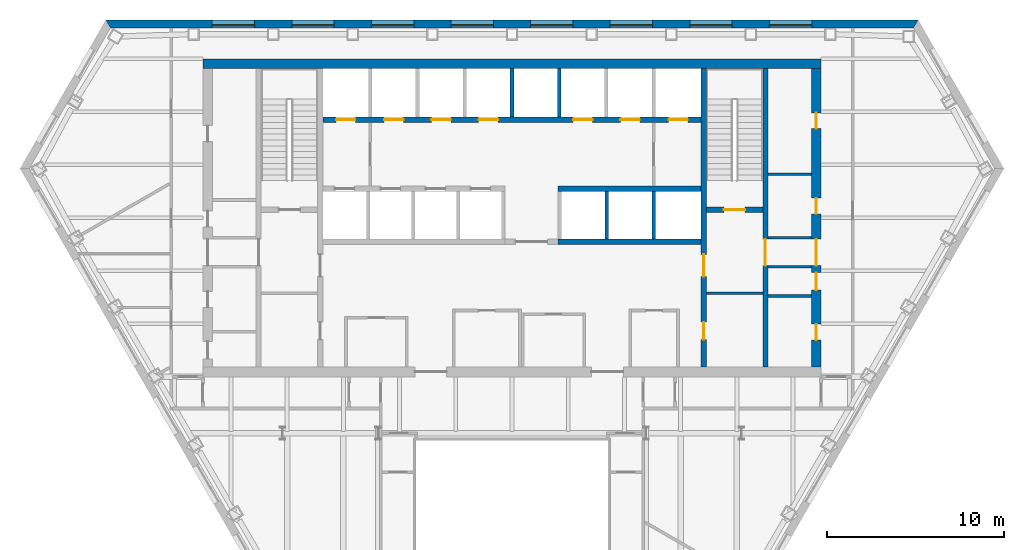
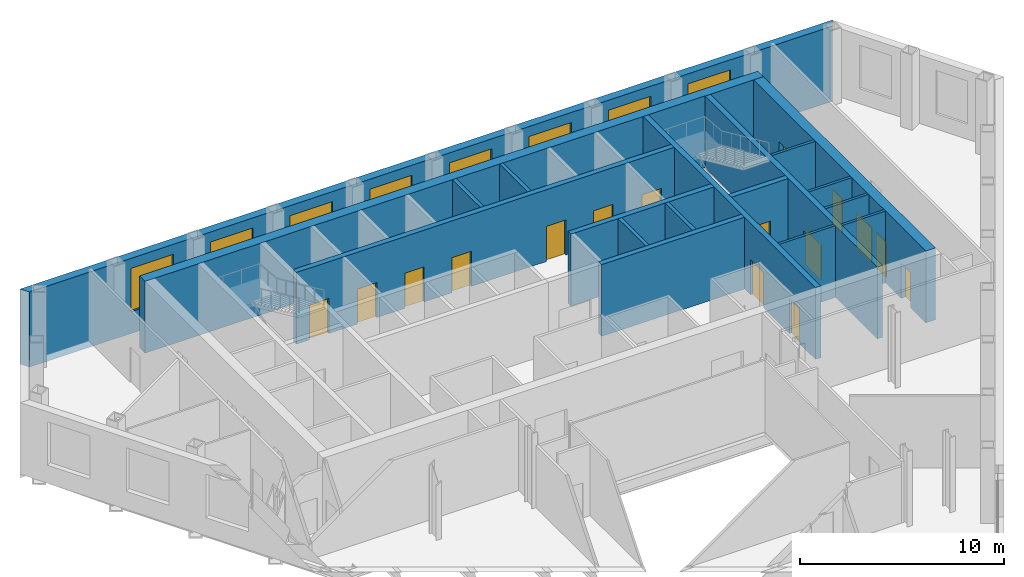
# One storey, part 8 of 12: 18 walls, 16 doors, 8 windows, 24 openings.
"""IFC4 building model written with IfcOpenShell, lengths in metres."""

from ifc_helpers import new_model, si_unit, direction, frame, frame_2d, origin, place, context, subcontext, project, spatial, polyline, rectangle, outline, extrude, material, layer, layer_set, type_object, element, fill, save


model = new_model("IFC4")

# Units and contexts
model_context = context("Model", 3, precision=1e-05, world=origin(), true_north=direction((0.0, 1.0)))
body_context = subcontext(model_context, "Body", "Model", "MODEL_VIEW")
ifc_project = project(units=[si_unit("LENGTHUNIT", "METRE"), si_unit("AREAUNIT", "SQUARE_METRE"), si_unit("VOLUMEUNIT", "CUBIC_METRE"), si_unit("PLANEANGLEUNIT", "RADIAN"), si_unit("MASSUNIT", "GRAM", prefix="KILO")], contexts=[model_context])

# Site, building, storey
site_placement = place(None, origin())
site = spatial("IfcSite", under=ifc_project, at=site_placement, CompositionType="ELEMENT")
building_placement = place(site_placement, origin())
building = spatial("IfcBuilding", under=site, at=building_placement, Name="Njiva Tower", CompositionType="ELEMENT")
storey_placement = place(building_placement, frame((0.0, 0.0, 111.3)))
storey = spatial("IfcBuildingStorey", under=building, at=storey_placement, Name="L23", CompositionType="ELEMENT", Elevation=111.3)

# Walls
ifc_material_1 = material(Name="Blockwork", Category="masonry")
ifc_layer_1 = layer(ifc_material_1, 0.15)
ifc_layer_set_1 = layer_set([ifc_layer_1], Name="Blockwork")
wall_type_1 = type_object("IfcWallType", Name="WT1 Compartment partition 150", PredefinedType="PARTITIONING", material=ifc_layer_set_1)
wall_1_placement = place(storey_placement, frame((11.0, 4.725, 0.0), z_axis=(0.0, 0.0, 1.0), x_axis=(1.0, 0.0, 0.0)))
element("IfcWall", 1, at=wall_1_placement, inside=storey, type_object=wall_type_1, Name="Room wall B", PredefinedType="PARTITIONING", context=body_context, shape_type="SweptSolid", body=[
    extrude(rectangle(XDim=3.2, YDim=0.15, at=frame_2d((1.6, 0.0))), origin(), (0.0, 0.0, 1.0), 4.3),
])
wall_2_placement = place(storey_placement, frame((14.5, 4.575, 0.0), z_axis=(0.0, 0.0, 1.0), x_axis=(1.0, 0.0, 0.0)))
element("IfcWall", 2, at=wall_2_placement, inside=storey, type_object=wall_type_1, Name="Partition strip E00", PredefinedType="PARTITIONING", context=body_context, shape_type="SweptSolid", body=[
    extrude(rectangle(XDim=2.45, YDim=0.15, at=frame_2d((1.225, 0.0))), origin(), (0.0, 0.0, 1.0), 4.3),
])

# Wall, openings, doors
ifc_material_2 = material(Name="Concrete C40/50", Category="concrete")
ifc_layer_2 = layer(ifc_material_2, 0.3)
ifc_layer_set_2 = layer_set([ifc_layer_2], Name="Concrete C40/50")
wall_type_2 = type_object("IfcWallType", Name="WT10 Stair enclosure wall 300", PredefinedType="SHEAR", material=ifc_layer_set_2)
wall_3_placement = place(storey_placement, frame((10.85, 0.55, 0.0), z_axis=(0.0, 0.0, 1.0), x_axis=(0.0, 1.0, 0.0)))
wall_3 = element("IfcWall", 3, at=wall_3_placement, inside=storey, type_object=wall_type_2, Name="Stair wall east inner", PredefinedType="SHEAR", context=body_context, shape_type="SweptSolid", body=[
    extrude(rectangle(XDim=16.9, YDim=0.3, at=frame_2d((8.45, 0.0))), origin(), (0.0, 0.0, 1.0), 4.3),
])
opening_1_placement = place(wall_3_placement, frame((5.125, 0.0, 0.0)))
opening_1 = element("IfcOpeningElement", 4, at=opening_1_placement, cuts=wall_3, Name="Opening S08-D918", PredefinedType="OPENING", context=body_context, shape_type="SweptSolid", body=[
    extrude(rectangle(XDim=1.25, YDim=2.1, at=frame_2d((0.625, 1.05))), frame((0.0, 0.16, 0.0), z_axis=(0.0, -1.0, 0.0), x_axis=(1.0, 0.0, 0.0)), (0.0, 0.0, 1.0), 0.32),
])
opening_2_placement = place(wall_3_placement, frame((1.55, 0.0, 0.0)))
opening_2 = element("IfcOpeningElement", 5, at=opening_2_placement, cuts=wall_3, Name="Opening S08-D919", PredefinedType="OPENING", context=body_context, shape_type="SweptSolid", body=[
    extrude(rectangle(XDim=1.0, YDim=2.1, at=frame_2d((0.5, 1.05))), frame((0.0, 0.16, 0.0), z_axis=(0.0, -1.0, 0.0), x_axis=(1.0, 0.0, 0.0)), (0.0, 0.0, 1.0), 0.32),
])
ifc_material_3 = material(Name="Steel door, painted", Category="steel")
door_type_1 = type_object("IfcDoorType", Name="D5 Steel door 1000x2100", OperationType="SINGLE_SWING_LEFT", PredefinedType="DOOR", material=ifc_material_3)
door_1_placement = place(opening_2_placement, origin())
door_1 = element("IfcDoor", 6, at=door_1_placement, inside=storey, type_object=door_type_1, Name="First aid room door", OperationType="SINGLE_SWING_LEFT", OverallHeight=2.1, OverallWidth=1.0, PredefinedType="DOOR", context=body_context, shape_type="SweptSolid", body=[
    extrude(rectangle(XDim=1.0, YDim=2.1, at=frame_2d((0.5, 1.05))), frame((0.0, 0.025, 0.0), z_axis=(0.0, -1.0, 0.0), x_axis=(1.0, 0.0, 0.0)), (0.0, 0.0, 1.0), 0.05),
])
fill(opening_2, door_1)
ifc_material_4 = material(Name="Glazed steel fire door", Category="steel")
door_type_2 = type_object("IfcDoorType", Name="D8 Vestibule corridor door 1250x2100 glazed", OperationType="SINGLE_SWING_LEFT", PredefinedType="DOOR", material=ifc_material_4)
door_2_placement = place(opening_1_placement, origin())
door_2 = element("IfcDoor", 7, at=door_2_placement, inside=storey, type_object=door_type_2, Name="Stair vestibule corridor door", OperationType="SINGLE_SWING_RIGHT", OverallHeight=2.1, OverallWidth=1.25, PredefinedType="DOOR", context=body_context, shape_type="SweptSolid", body=[
    extrude(rectangle(XDim=1.25, YDim=2.1, at=frame_2d((0.625, 1.05))), frame((0.0, 0.025, 0.0), z_axis=(0.0, -1.0, 0.0), x_axis=(1.0, 0.0, 0.0)), (0.0, 0.0, 1.0), 0.05),
])
fill(opening_1, door_2)

# Wall, opening, door
wall_4_placement = place(storey_placement, frame((14.35, 0.55, 0.0), z_axis=(0.0, 0.0, 1.0), x_axis=(0.0, 1.0, 0.0)))
wall_4 = element("IfcWall", 8, at=wall_4_placement, inside=storey, type_object=wall_type_2, Name="Stair wall east outer", PredefinedType="SHEAR", context=body_context, shape_type="SweptSolid", body=[
    extrude(rectangle(XDim=16.9, YDim=0.3, at=frame_2d((8.45, 0.0))), origin(), (0.0, 0.0, 1.0), 4.3),
])
opening_3_placement = place(wall_4_placement, frame((5.75, 0.0, 0.0)))
opening_3 = element("IfcOpeningElement", 9, at=opening_3_placement, cuts=wall_4, Name="Opening S08-D926", PredefinedType="OPENING", context=body_context, shape_type="SweptSolid", body=[
    extrude(rectangle(XDim=1.5, YDim=2.1, at=frame_2d((0.75, 1.05))), frame((0.0, 0.16, 0.0), z_axis=(0.0, -1.0, 0.0), x_axis=(1.0, 0.0, 0.0)), (0.0, 0.0, 1.0), 0.32),
])
door_type_3 = type_object("IfcDoorType", Name="D10 Exit door double 1500x2100 glazed", OperationType="DOUBLE_DOOR_SINGLE_SWING", PredefinedType="DOOR", material=ifc_material_4)
door_3_placement = place(opening_3_placement, origin())
door_3 = element("IfcDoor", 10, at=door_3_placement, inside=storey, type_object=door_type_3, Name="Stair B passage door", OperationType="DOUBLE_DOOR_SINGLE_SWING", OverallHeight=2.1, OverallWidth=1.5, PredefinedType="DOOR", context=body_context, shape_type="SweptSolid", body=[
    extrude(rectangle(XDim=1.5, YDim=2.1, at=frame_2d((0.75, 1.05))), frame((0.0, 0.025, 0.0), z_axis=(0.0, -1.0, 0.0), x_axis=(1.0, 0.0, 0.0)), (0.0, 0.0, 1.0), 0.05),
])
fill(opening_3, door_3)

wall_5_placement = place(storey_placement, frame((11.0, 9.45, 0.0), z_axis=(0.0, 0.0, 1.0), x_axis=(1.0, 0.0, 0.0)))
wall_5 = element("IfcWall", 11, at=wall_5_placement, inside=storey, type_object=wall_type_2, Name="Stair B south wall", PredefinedType="SHEAR", context=body_context, shape_type="SweptSolid", body=[
    extrude(rectangle(XDim=3.2, YDim=0.3, at=frame_2d((1.6, 0.0))), origin(), (0.0, 0.0, 1.0), 4.3),
])
opening_4_placement = place(wall_5_placement, frame((1.0, 0.0, 0.0)))
opening_4 = element("IfcOpeningElement", 12, at=opening_4_placement, cuts=wall_5, Name="Opening S08-D917", PredefinedType="OPENING", context=body_context, shape_type="SweptSolid", body=[
    extrude(rectangle(XDim=1.2, YDim=2.1, at=frame_2d((0.6, 1.05))), frame((0.0, 0.16, 0.0), z_axis=(0.0, -1.0, 0.0), x_axis=(1.0, 0.0, 0.0)), (0.0, 0.0, 1.0), 0.32),
])
door_type_4 = type_object("IfcDoorType", Name="D7 Stair vestibule door 1200x2100 glazed", OperationType="SINGLE_SWING_LEFT", PredefinedType="DOOR", material=ifc_material_4)
door_4_placement = place(opening_4_placement, origin())
door_4 = element("IfcDoor", 13, at=door_4_placement, inside=storey, type_object=door_type_4, Name="Stair B door", OperationType="SINGLE_SWING_LEFT", OverallHeight=2.1, OverallWidth=1.2, PredefinedType="DOOR", context=body_context, shape_type="SweptSolid", body=[
    extrude(rectangle(XDim=1.2, YDim=2.1, at=frame_2d((0.6, 1.05))), frame((0.0, 0.025, 0.0), z_axis=(0.0, -1.0, 0.0), x_axis=(1.0, 0.0, 0.0)), (0.0, 0.0, 1.0), 0.05),
])
fill(opening_4, door_4)

# Wall
ifc_material_5 = material(Name="Concrete C60/75", Category="concrete")
ifc_layer_3 = layer(ifc_material_5, 0.55)
ifc_layer_set_3 = layer_set([ifc_layer_3], Name="Concrete C60/75")
wall_type_3 = type_object("IfcWallType", Name="WT14 Core wall 550", PredefinedType="SHEAR", material=ifc_layer_set_3)
wall_6_placement = place(storey_placement, frame((-17.5, 17.725, 0.0), z_axis=(0.0, 0.0, 1.0), x_axis=(1.0, 0.0, 0.0)))
element("IfcWall", 14, at=wall_6_placement, inside=storey, type_object=wall_type_3, Name="Core wall north", PredefinedType="SHEAR", context=body_context, shape_type="SweptSolid", body=[
    extrude(rectangle(XDim=35.0, YDim=0.55, at=frame_2d((17.5, 0.0))), origin(), (0.0, 0.0, 1.0), 4.3),
])

# Wall, openings, doors
wall_7_placement = place(storey_placement, frame((17.225, 0.55, 0.0), z_axis=(0.0, 0.0, 1.0), x_axis=(0.0, 1.0, 0.0)))
wall_7 = element("IfcWall", 15, at=wall_7_placement, inside=storey, type_object=wall_type_3, Name="Core wall east", PredefinedType="SHEAR", context=body_context, shape_type="SweptSolid", body=[
    extrude(rectangle(XDim=16.9, YDim=0.55, at=frame_2d((8.45, 0.0))), origin(), (0.0, 0.0, 1.0), 4.3),
])
opening_5_placement = place(wall_7_placement, frame((5.75, 0.0, 0.0)))
opening_5 = element("IfcOpeningElement", 16, at=opening_5_placement, cuts=wall_7, Name="Opening S08-D927", PredefinedType="OPENING", context=body_context, shape_type="SweptSolid", body=[
    extrude(rectangle(XDim=1.5, YDim=2.1, at=frame_2d((0.75, 1.05))), frame((0.0, 0.285, 0.0), z_axis=(0.0, -1.0, 0.0), x_axis=(1.0, 0.0, 0.0)), (0.0, 0.0, 1.0), 0.57),
])
opening_6_placement = place(wall_7_placement, frame((1.525, 0.0, 0.0)))
opening_6 = element("IfcOpeningElement", 17, at=opening_6_placement, cuts=wall_7, Name="Opening S08-D928", PredefinedType="OPENING", context=body_context, shape_type="SweptSolid", body=[
    extrude(rectangle(XDim=0.9, YDim=2.1, at=frame_2d((0.45, 1.05))), frame((0.0, 0.285, 0.0), z_axis=(0.0, -1.0, 0.0), x_axis=(1.0, 0.0, 0.0)), (0.0, 0.0, 1.0), 0.57),
])
opening_7_placement = place(wall_7_placement, frame((4.35, 0.0, 0.0)))
opening_7 = element("IfcOpeningElement", 18, at=opening_7_placement, cuts=wall_7, Name="Opening S08-D929", PredefinedType="OPENING", context=body_context, shape_type="SweptSolid", body=[
    extrude(rectangle(XDim=1.0, YDim=2.1, at=frame_2d((0.5, 1.05))), frame((0.0, 0.285, 0.0), z_axis=(0.0, -1.0, 0.0), x_axis=(1.0, 0.0, 0.0)), (0.0, 0.0, 1.0), 0.57),
])
opening_8_placement = place(wall_7_placement, frame((8.6724, 0.0, 0.0)))
opening_8 = element("IfcOpeningElement", 19, at=opening_8_placement, cuts=wall_7, Name="Opening S08-D930", PredefinedType="OPENING", context=body_context, shape_type="SweptSolid", body=[
    extrude(rectangle(XDim=0.9, YDim=2.1, at=frame_2d((0.45, 1.05))), frame((0.0, 0.285, 0.0), z_axis=(0.0, -1.0, 0.0), x_axis=(1.0, 0.0, 0.0)), (0.0, 0.0, 1.0), 0.57),
])
opening_9_placement = place(wall_7_placement, frame((13.4974, 0.0, 0.0)))
opening_9 = element("IfcOpeningElement", 20, at=opening_9_placement, cuts=wall_7, Name="Opening S08-D931", PredefinedType="OPENING", context=body_context, shape_type="SweptSolid", body=[
    extrude(rectangle(XDim=0.9, YDim=2.1, at=frame_2d((0.45, 1.05))), frame((0.0, 0.285, 0.0), z_axis=(0.0, -1.0, 0.0), x_axis=(1.0, 0.0, 0.0)), (0.0, 0.0, 1.0), 0.57),
])
door_5_placement = place(opening_5_placement, origin())
door_5 = element("IfcDoor", 21, at=door_5_placement, inside=storey, type_object=door_type_3, Name="Stair B corridor door", OperationType="DOUBLE_DOOR_SINGLE_SWING", OverallHeight=2.1, OverallWidth=1.5, PredefinedType="DOOR", context=body_context, shape_type="SweptSolid", body=[
    extrude(rectangle(XDim=1.5, YDim=2.1, at=frame_2d((0.75, 1.05))), frame((0.0, 0.025, 0.0), z_axis=(0.0, -1.0, 0.0), x_axis=(1.0, 0.0, 0.0)), (0.0, 0.0, 1.0), 0.05),
])
fill(opening_5, door_5)
door_type_5 = type_object("IfcDoorType", Name="D4 Riser door 900x2100", OperationType="SINGLE_SWING_LEFT", PredefinedType="DOOR", material=ifc_material_3)
door_6_placement = place(opening_8_placement, origin())
door_6 = element("IfcDoor", 22, at=door_6_placement, inside=storey, type_object=door_type_5, Name="Riser door", OperationType="SINGLE_SWING_RIGHT", OverallHeight=2.1, OverallWidth=0.9, PredefinedType="DOOR", context=body_context, shape_type="SweptSolid", body=[
    extrude(rectangle(XDim=0.9, YDim=2.1, at=frame_2d((0.45, 1.05))), frame((0.0, 0.025, 0.0), z_axis=(0.0, -1.0, 0.0), x_axis=(1.0, 0.0, 0.0)), (0.0, 0.0, 1.0), 0.05),
])
fill(opening_8, door_6)
door_7_placement = place(opening_7_placement, origin())
door_7 = element("IfcDoor", 23, at=door_7_placement, inside=storey, type_object=door_type_1, Name="Telecoms room door", OperationType="SINGLE_SWING_RIGHT", OverallHeight=2.1, OverallWidth=1.0, PredefinedType="DOOR", context=body_context, shape_type="SweptSolid", body=[
    extrude(rectangle(XDim=1.0, YDim=2.1, at=frame_2d((0.5, 1.05))), frame((0.0, 0.025, 0.0), z_axis=(0.0, -1.0, 0.0), x_axis=(1.0, 0.0, 0.0)), (0.0, 0.0, 1.0), 0.05),
])
fill(opening_7, door_7)
ifc_material_6 = material(Name="Steel fire door, painted", Category="steel")
door_type_6 = type_object("IfcDoorType", Name="D6 Fire-rated door 900x2100", OperationType="SINGLE_SWING_LEFT", PredefinedType="DOOR", material=ifc_material_6)
door_8_placement = place(opening_6_placement, origin())
door_8 = element("IfcDoor", 24, at=door_8_placement, inside=storey, type_object=door_type_6, Name="Meeting room door", OperationType="SINGLE_SWING_RIGHT", OverallHeight=2.1, OverallWidth=0.9, PredefinedType="DOOR", context=body_context, shape_type="SweptSolid", body=[
    extrude(rectangle(XDim=0.9, YDim=2.1, at=frame_2d((0.45, 1.05))), frame((0.0, 0.025, 0.0), z_axis=(0.0, -1.0, 0.0), x_axis=(1.0, 0.0, 0.0)), (0.0, 0.0, 1.0), 0.05),
])
fill(opening_6, door_8)
door_9_placement = place(opening_9_placement, origin())
door_9 = element("IfcDoor", 25, at=door_9_placement, inside=storey, type_object=door_type_6, Name="First aid room door", OperationType="SINGLE_SWING_LEFT", OverallHeight=2.1, OverallWidth=0.9, PredefinedType="DOOR", context=body_context, shape_type="SweptSolid", body=[
    extrude(rectangle(XDim=0.9, YDim=2.1, at=frame_2d((0.45, 1.05))), frame((0.0, 0.025, 0.0), z_axis=(0.0, -1.0, 0.0), x_axis=(1.0, 0.0, 0.0)), (0.0, 0.0, 1.0), 0.05),
])
fill(opening_9, door_9)

# Walls
ifc_layer_4 = layer(ifc_material_1, 0.15)
ifc_layer_set_4 = layer_set([ifc_layer_4], Name="Blockwork")
wall_type_4 = type_object("IfcWallType", Name="WT3 Riser partition 150", PredefinedType="PARTITIONING", material=ifc_layer_set_4)
wall_8_placement = place(storey_placement, frame((14.5, 11.4697, 0.0), z_axis=(0.0, 0.0, 1.0), x_axis=(1.0, 0.0, 0.0)))
element("IfcWall", 26, at=wall_8_placement, inside=storey, type_object=wall_type_4, Name="Partition strip E10", PredefinedType="PARTITIONING", context=body_context, shape_type="SweptSolid", body=[
    extrude(rectangle(XDim=2.45, YDim=0.15, at=frame_2d((1.225, 0.0))), origin(), (0.0, 0.0, 1.0), 4.3),
])
ifc_layer_5 = layer(ifc_material_1, 0.15)
ifc_layer_set_5 = layer_set([ifc_layer_5], Name="Blockwork")
wall_type_5 = type_object("IfcWallType", Name="WT4 Stair partition 150", PredefinedType="PARTITIONING", material=ifc_layer_set_5)
for number, where, z_axis, x_axis, name in (
    (27, (14.5, 6.225, 0.0), (0.0, 0.0, 1.0), (1.0, 0.0, 0.0), "Stair B exit passage wall south"),
    (28, (14.5, 7.875, 0.0), (0.0, 0.0, 1.0), (1.0, 0.0, 0.0), "Stair B exit passage wall north"),
):
    element("IfcWall", number, at=place(storey_placement, frame(where, z_axis=z_axis, x_axis=x_axis)), inside=storey, type_object=wall_type_5, Name=name, PredefinedType="PARTITIONING", context=body_context, shape_type="SweptSolid", body=[
        extrude(rectangle(XDim=2.45, YDim=0.15, at=frame_2d((1.225, 0.0))), origin(), (0.0, 0.0, 1.0), 4.3),
    ])
ifc_layer_6 = layer(ifc_material_2, 0.2)
ifc_layer_set_6 = layer_set([ifc_layer_6], Name="Concrete C40/50")
wall_type_6 = type_object("IfcWallType", Name="WT6 Lift shaft wall 200", PredefinedType="SHEAR", material=ifc_layer_set_6)
for number, where, z_axis, x_axis, name in (
    (29, (0.0, 14.7, 0.0), (0.0, 0.0, 1.0), (0.0, 1.0, 0.0), "Shaft wall CN4"),
    (30, (2.675, 14.7, 0.0), (0.0, 0.0, 1.0), (0.0, 1.0, 0.0), "Shaft wall CN5"),
):
    element("IfcWall", number, at=place(storey_placement, frame(where, z_axis=z_axis, x_axis=x_axis)), inside=storey, type_object=wall_type_6, Name=name, PredefinedType="SHEAR", context=body_context, shape_type="SweptSolid", body=[
        extrude(rectangle(XDim=2.75, YDim=0.2, at=frame_2d((1.375, 0.0))), origin(), (0.0, 0.0, 1.0), 4.3),
    ])
for number, where, z_axis, x_axis, name in (
    (31, (5.3667, 7.8, 0.0), (0.0, 0.0, 1.0), (0.0, 1.0, 0.0), "Shaft wall CS6"),
    (32, (8.0333, 7.8, 0.0), (0.0, 0.0, 1.0), (0.0, 1.0, 0.0), "Shaft wall CS7"),
):
    element("IfcWall", number, at=place(storey_placement, frame(where, z_axis=z_axis, x_axis=x_axis)), inside=storey, type_object=wall_type_6, Name=name, PredefinedType="SHEAR", context=body_context, shape_type="SweptSolid", body=[
        extrude(rectangle(XDim=2.7, YDim=0.2, at=frame_2d((1.35, 0.0))), origin(), (0.0, 0.0, 1.0), 4.3),
    ])

# Wall, openings, doors
ifc_layer_7 = layer(ifc_material_2, 0.3)
ifc_layer_set_7 = layer_set([ifc_layer_7], Name="Concrete C40/50")
wall_type_7 = type_object("IfcWallType", Name="WT7 Lift shaft wall 300", PredefinedType="SHEAR", material=ifc_layer_set_7)
wall_9_placement = place(storey_placement, frame((-10.7, 14.55, 0.0), z_axis=(0.0, 0.0, 1.0), x_axis=(1.0, 0.0, 0.0)))
wall_9 = element("IfcWall", 33, at=wall_9_placement, inside=storey, type_object=wall_type_7, Name="Shaft wall north row lobby side", PredefinedType="SHEAR", context=body_context, shape_type="SweptSolid", body=[
    extrude(rectangle(XDim=21.4, YDim=0.3, at=frame_2d((10.7, 0.0))), origin(), (0.0, 0.0, 1.0), 4.3),
])
opening_10_placement = place(wall_9_placement, frame((0.7375, 0.0, 0.0)))
opening_10 = element("IfcOpeningElement", 34, at=opening_10_placement, cuts=wall_9, Name="Opening S08-D901", PredefinedType="OPENING", context=body_context, shape_type="SweptSolid", body=[
    extrude(rectangle(XDim=1.1, YDim=2.1, at=frame_2d((0.55, 1.05))), frame((0.0, 0.16, 0.0), z_axis=(0.0, -1.0, 0.0), x_axis=(1.0, 0.0, 0.0)), (0.0, 0.0, 1.0), 0.32),
])
opening_11_placement = place(wall_9_placement, frame((3.4625, 0.0, 0.0)))
opening_11 = element("IfcOpeningElement", 35, at=opening_11_placement, cuts=wall_9, Name="Opening S08-D902", PredefinedType="OPENING", context=body_context, shape_type="SweptSolid", body=[
    extrude(rectangle(XDim=1.1, YDim=2.1, at=frame_2d((0.55, 1.05))), frame((0.0, 0.16, 0.0), z_axis=(0.0, -1.0, 0.0), x_axis=(1.0, 0.0, 0.0)), (0.0, 0.0, 1.0), 0.32),
])
opening_12_placement = place(wall_9_placement, frame((6.1375, 0.0, 0.0)))
opening_12 = element("IfcOpeningElement", 36, at=opening_12_placement, cuts=wall_9, Name="Opening S08-D903", PredefinedType="OPENING", context=body_context, shape_type="SweptSolid", body=[
    extrude(rectangle(XDim=1.1, YDim=2.1, at=frame_2d((0.55, 1.05))), frame((0.0, 0.16, 0.0), z_axis=(0.0, -1.0, 0.0), x_axis=(1.0, 0.0, 0.0)), (0.0, 0.0, 1.0), 0.32),
])
opening_13_placement = place(wall_9_placement, frame((8.8125, 0.0, 0.0)))
opening_13 = element("IfcOpeningElement", 37, at=opening_13_placement, cuts=wall_9, Name="Opening S08-D904", PredefinedType="OPENING", context=body_context, shape_type="SweptSolid", body=[
    extrude(rectangle(XDim=1.1, YDim=2.1, at=frame_2d((0.55, 1.05))), frame((0.0, 0.16, 0.0), z_axis=(0.0, -1.0, 0.0), x_axis=(1.0, 0.0, 0.0)), (0.0, 0.0, 1.0), 0.32),
])
opening_14_placement = place(wall_9_placement, frame((14.1625, 0.0, 0.0)))
opening_14 = element("IfcOpeningElement", 38, at=opening_14_placement, cuts=wall_9, Name="Opening S08-D905", PredefinedType="OPENING", context=body_context, shape_type="SweptSolid", body=[
    extrude(rectangle(XDim=1.1, YDim=2.1, at=frame_2d((0.55, 1.05))), frame((0.0, 0.16, 0.0), z_axis=(0.0, -1.0, 0.0), x_axis=(1.0, 0.0, 0.0)), (0.0, 0.0, 1.0), 0.32),
])
opening_15_placement = place(wall_9_placement, frame((16.8375, 0.0, 0.0)))
opening_15 = element("IfcOpeningElement", 39, at=opening_15_placement, cuts=wall_9, Name="Opening S08-D906", PredefinedType="OPENING", context=body_context, shape_type="SweptSolid", body=[
    extrude(rectangle(XDim=1.1, YDim=2.1, at=frame_2d((0.55, 1.05))), frame((0.0, 0.16, 0.0), z_axis=(0.0, -1.0, 0.0), x_axis=(1.0, 0.0, 0.0)), (0.0, 0.0, 1.0), 0.32),
])
opening_16_placement = place(wall_9_placement, frame((19.5625, 0.0, 0.0)))
opening_16 = element("IfcOpeningElement", 40, at=opening_16_placement, cuts=wall_9, Name="Opening S08-D907", PredefinedType="OPENING", context=body_context, shape_type="SweptSolid", body=[
    extrude(rectangle(XDim=1.1, YDim=2.1, at=frame_2d((0.55, 1.05))), frame((0.0, 0.16, 0.0), z_axis=(0.0, -1.0, 0.0), x_axis=(1.0, 0.0, 0.0)), (0.0, 0.0, 1.0), 0.32),
])
ifc_material_7 = material(Name="Stainless steel sliding door", Category="steel")
door_type_7 = type_object("IfcDoorType", Name="LD Lift landing door 1100x2100", OperationType="SLIDING_TO_LEFT", PredefinedType="DOOR", material=ifc_material_7)
door_10_placement = place(opening_10_placement, origin())
door_10 = element("IfcDoor", 41, at=door_10_placement, inside=storey, type_object=door_type_7, Name="Lift landing door FF1", OperationType="SLIDING_TO_LEFT", OverallHeight=2.1, OverallWidth=1.1, PredefinedType="DOOR", context=body_context, shape_type="SweptSolid", body=[
    extrude(rectangle(XDim=1.1, YDim=2.1, at=frame_2d((0.55, 1.05))), frame((0.0, 0.025, 0.0), z_axis=(0.0, -1.0, 0.0), x_axis=(1.0, 0.0, 0.0)), (0.0, 0.0, 1.0), 0.05),
])
fill(opening_10, door_10)
door_11_placement = place(opening_11_placement, origin())
door_11 = element("IfcDoor", 42, at=door_11_placement, inside=storey, type_object=door_type_7, Name="Lift landing door LB1", OperationType="SLIDING_TO_LEFT", OverallHeight=2.1, OverallWidth=1.1, PredefinedType="DOOR", context=body_context, shape_type="SweptSolid", body=[
    extrude(rectangle(XDim=1.1, YDim=2.1, at=frame_2d((0.55, 1.05))), frame((0.0, 0.025, 0.0), z_axis=(0.0, -1.0, 0.0), x_axis=(1.0, 0.0, 0.0)), (0.0, 0.0, 1.0), 0.05),
])
fill(opening_11, door_11)
door_12_placement = place(opening_12_placement, origin())
door_12 = element("IfcDoor", 43, at=door_12_placement, inside=storey, type_object=door_type_7, Name="Lift landing door LB2", OperationType="SLIDING_TO_LEFT", OverallHeight=2.1, OverallWidth=1.1, PredefinedType="DOOR", context=body_context, shape_type="SweptSolid", body=[
    extrude(rectangle(XDim=1.1, YDim=2.1, at=frame_2d((0.55, 1.05))), frame((0.0, 0.025, 0.0), z_axis=(0.0, -1.0, 0.0), x_axis=(1.0, 0.0, 0.0)), (0.0, 0.0, 1.0), 0.05),
])
fill(opening_12, door_12)
door_13_placement = place(opening_13_placement, origin())
door_13 = element("IfcDoor", 44, at=door_13_placement, inside=storey, type_object=door_type_7, Name="Lift landing door LB3", OperationType="SLIDING_TO_LEFT", OverallHeight=2.1, OverallWidth=1.1, PredefinedType="DOOR", context=body_context, shape_type="SweptSolid", body=[
    extrude(rectangle(XDim=1.1, YDim=2.1, at=frame_2d((0.55, 1.05))), frame((0.0, 0.025, 0.0), z_axis=(0.0, -1.0, 0.0), x_axis=(1.0, 0.0, 0.0)), (0.0, 0.0, 1.0), 0.05),
])
fill(opening_13, door_13)
door_14_placement = place(opening_14_placement, origin())
door_14 = element("IfcDoor", 45, at=door_14_placement, inside=storey, type_object=door_type_7, Name="Lift landing door FR1", OperationType="SLIDING_TO_LEFT", OverallHeight=2.1, OverallWidth=1.1, PredefinedType="DOOR", context=body_context, shape_type="SweptSolid", body=[
    extrude(rectangle(XDim=1.1, YDim=2.1, at=frame_2d((0.55, 1.05))), frame((0.0, 0.025, 0.0), z_axis=(0.0, -1.0, 0.0), x_axis=(1.0, 0.0, 0.0)), (0.0, 0.0, 1.0), 0.05),
])
fill(opening_14, door_14)
door_15_placement = place(opening_15_placement, origin())
door_15 = element("IfcDoor", 46, at=door_15_placement, inside=storey, type_object=door_type_7, Name="Lift landing door FR2", OperationType="SLIDING_TO_LEFT", OverallHeight=2.1, OverallWidth=1.1, PredefinedType="DOOR", context=body_context, shape_type="SweptSolid", body=[
    extrude(rectangle(XDim=1.1, YDim=2.1, at=frame_2d((0.55, 1.05))), frame((0.0, 0.025, 0.0), z_axis=(0.0, -1.0, 0.0), x_axis=(1.0, 0.0, 0.0)), (0.0, 0.0, 1.0), 0.05),
])
fill(opening_15, door_15)
door_16_placement = place(opening_16_placement, origin())
door_16 = element("IfcDoor", 47, at=door_16_placement, inside=storey, type_object=door_type_7, Name="Lift landing door FF2", OperationType="SLIDING_TO_LEFT", OverallHeight=2.1, OverallWidth=1.1, PredefinedType="DOOR", context=body_context, shape_type="SweptSolid", body=[
    extrude(rectangle(XDim=1.1, YDim=2.1, at=frame_2d((0.55, 1.05))), frame((0.0, 0.025, 0.0), z_axis=(0.0, -1.0, 0.0), x_axis=(1.0, 0.0, 0.0)), (0.0, 0.0, 1.0), 0.05),
])
fill(opening_16, door_16)

# Walls
for number, where, z_axis, x_axis, name in (
    (48, (2.6, 10.65, 0.0), (0.0, 0.0, 1.0), (1.0, 0.0, 0.0), "Shaft wall south row lobby side E"),
    (49, (2.6, 7.65, 0.0), (0.0, 0.0, 1.0), (1.0, 0.0, 0.0), "Shaft wall south row back E"),
):
    element("IfcWall", number, at=place(storey_placement, frame(where, z_axis=z_axis, x_axis=x_axis)), inside=storey, type_object=wall_type_7, Name=name, PredefinedType="SHEAR", context=body_context, shape_type="SweptSolid", body=[
        extrude(rectangle(XDim=8.1, YDim=0.3, at=frame_2d((4.05, 0.0))), origin(), (0.0, 0.0, 1.0), 4.3),
    ])

# Wall, openings, windows
ifc_material_8 = material(Name="Brick masonry", Category="masonry")
ifc_layer_8 = layer(ifc_material_8, 0.45)
ifc_layer_set_8 = layer_set([ifc_layer_8], Name="Brick masonry")
wall_type_8 = type_object("IfcWallType", Name="WT90 Brick pier and spandrel wall 450", PredefinedType="SOLIDWALL", material=ifc_layer_set_8)
wall_10_placement = place(storey_placement, frame((22.8651, 19.975, -0.4), z_axis=(0.0, 0.0, 1.0), x_axis=(-1.0, 0.0, 0.0)))
wall_10 = element("IfcWall", 50, at=wall_10_placement, inside=storey, type_object=wall_type_8, Name="Facade wall N", PredefinedType="SOLIDWALL", context=body_context, shape_type="SweptSolid", body=[
    extrude(outline(polyline([(-0.1299, -0.225), (45.8601, -0.225), (45.6003, 0.225), (0.1299, 0.225), (-0.1299, -0.225)])), origin(), (0.0, 0.0, 1.0), 4.5),
])
opening_17_placement = place(wall_10_placement, frame((5.8919, 0.0, 1.3)))
opening_17 = element("IfcOpeningElement", 51, at=opening_17_placement, cuts=wall_10, Name="Opening S08-W01", PredefinedType="OPENING", context=body_context, shape_type="SweptSolid", body=[
    extrude(rectangle(XDim=2.4, YDim=2.6, at=frame_2d((1.2, 1.3))), frame((0.0, 0.235, 0.0), z_axis=(0.0, -1.0, 0.0), x_axis=(1.0, 0.0, 0.0)), (0.0, 0.0, 1.0), 0.47),
])
opening_18_placement = place(wall_10_placement, frame((10.3985, 0.0, 1.3)))
opening_18 = element("IfcOpeningElement", 52, at=opening_18_placement, cuts=wall_10, Name="Opening S08-W02", PredefinedType="OPENING", context=body_context, shape_type="SweptSolid", body=[
    extrude(rectangle(XDim=2.4, YDim=2.6, at=frame_2d((1.2, 1.3))), frame((0.0, 0.235, 0.0), z_axis=(0.0, -1.0, 0.0), x_axis=(1.0, 0.0, 0.0)), (0.0, 0.0, 1.0), 0.47),
])
opening_19_placement = place(wall_10_placement, frame((14.9052, 0.0, 1.3)))
opening_19 = element("IfcOpeningElement", 53, at=opening_19_placement, cuts=wall_10, Name="Opening S08-W03", PredefinedType="OPENING", context=body_context, shape_type="SweptSolid", body=[
    extrude(rectangle(XDim=2.4, YDim=2.6, at=frame_2d((1.2, 1.3))), frame((0.0, 0.235, 0.0), z_axis=(0.0, -1.0, 0.0), x_axis=(1.0, 0.0, 0.0)), (0.0, 0.0, 1.0), 0.47),
])
opening_20_placement = place(wall_10_placement, frame((19.4118, 0.0, 1.3)))
opening_20 = element("IfcOpeningElement", 54, at=opening_20_placement, cuts=wall_10, Name="Opening S08-W04", PredefinedType="OPENING", context=body_context, shape_type="SweptSolid", body=[
    extrude(rectangle(XDim=2.4, YDim=2.6, at=frame_2d((1.2, 1.3))), frame((0.0, 0.235, 0.0), z_axis=(0.0, -1.0, 0.0), x_axis=(1.0, 0.0, 0.0)), (0.0, 0.0, 1.0), 0.47),
])
opening_21_placement = place(wall_10_placement, frame((23.9184, 0.0, 1.3)))
opening_21 = element("IfcOpeningElement", 55, at=opening_21_placement, cuts=wall_10, Name="Opening S08-W05", PredefinedType="OPENING", context=body_context, shape_type="SweptSolid", body=[
    extrude(rectangle(XDim=2.4, YDim=2.6, at=frame_2d((1.2, 1.3))), frame((0.0, 0.235, 0.0), z_axis=(0.0, -1.0, 0.0), x_axis=(1.0, 0.0, 0.0)), (0.0, 0.0, 1.0), 0.47),
])
opening_22_placement = place(wall_10_placement, frame((28.425, 0.0, 1.3)))
opening_22 = element("IfcOpeningElement", 56, at=opening_22_placement, cuts=wall_10, Name="Opening S08-W06", PredefinedType="OPENING", context=body_context, shape_type="SweptSolid", body=[
    extrude(rectangle(XDim=2.4, YDim=2.6, at=frame_2d((1.2, 1.3))), frame((0.0, 0.235, 0.0), z_axis=(0.0, -1.0, 0.0), x_axis=(1.0, 0.0, 0.0)), (0.0, 0.0, 1.0), 0.47),
])
opening_23_placement = place(wall_10_placement, frame((32.9316, 0.0, 1.3)))
opening_23 = element("IfcOpeningElement", 57, at=opening_23_placement, cuts=wall_10, Name="Opening S08-W07", PredefinedType="OPENING", context=body_context, shape_type="SweptSolid", body=[
    extrude(rectangle(XDim=2.4, YDim=2.6, at=frame_2d((1.2, 1.3))), frame((0.0, 0.235, 0.0), z_axis=(0.0, -1.0, 0.0), x_axis=(1.0, 0.0, 0.0)), (0.0, 0.0, 1.0), 0.47),
])
opening_24_placement = place(wall_10_placement, frame((37.4383, 0.0, 1.3)))
opening_24 = element("IfcOpeningElement", 58, at=opening_24_placement, cuts=wall_10, Name="Opening S08-W08", PredefinedType="OPENING", context=body_context, shape_type="SweptSolid", body=[
    extrude(rectangle(XDim=2.4, YDim=2.6, at=frame_2d((1.2, 1.3))), frame((0.0, 0.235, 0.0), z_axis=(0.0, -1.0, 0.0), x_axis=(1.0, 0.0, 0.0)), (0.0, 0.0, 1.0), 0.47),
])
ifc_material_9 = material(Name="Clear glazing in aluminium frame", Category="aluminium")
window_type = type_object("IfcWindowType", Name="W92 Deep-set window 2400x2600", PartitioningType="SINGLE_PANEL", PredefinedType="WINDOW", material=ifc_material_9)
window_1_placement = place(opening_17_placement, origin())
window_1 = element("IfcWindow", 59, at=window_1_placement, inside=storey, type_object=window_type, Name="Window", OverallHeight=2.6, OverallWidth=2.4, PartitioningType="SINGLE_PANEL", PredefinedType="WINDOW", context=body_context, shape_type="SweptSolid", body=[
    extrude(rectangle(XDim=2.4, YDim=2.6, at=frame_2d((1.2, 1.3))), frame((0.0, 0.105, 0.0), z_axis=(0.0, -1.0, 0.0), x_axis=(1.0, 0.0, 0.0)), (0.0, 0.0, 1.0), 0.06),
])
fill(opening_17, window_1)
window_2_placement = place(opening_18_placement, origin())
window_2 = element("IfcWindow", 60, at=window_2_placement, inside=storey, type_object=window_type, Name="Window", OverallHeight=2.6, OverallWidth=2.4, PartitioningType="SINGLE_PANEL", PredefinedType="WINDOW", context=body_context, shape_type="SweptSolid", body=[
    extrude(rectangle(XDim=2.4, YDim=2.6, at=frame_2d((1.2, 1.3))), frame((0.0, 0.105, 0.0), z_axis=(0.0, -1.0, 0.0), x_axis=(1.0, 0.0, 0.0)), (0.0, 0.0, 1.0), 0.06),
])
fill(opening_18, window_2)
window_3_placement = place(opening_19_placement, origin())
window_3 = element("IfcWindow", 61, at=window_3_placement, inside=storey, type_object=window_type, Name="Window", OverallHeight=2.6, OverallWidth=2.4, PartitioningType="SINGLE_PANEL", PredefinedType="WINDOW", context=body_context, shape_type="SweptSolid", body=[
    extrude(rectangle(XDim=2.4, YDim=2.6, at=frame_2d((1.2, 1.3))), frame((0.0, 0.105, 0.0), z_axis=(0.0, -1.0, 0.0), x_axis=(1.0, 0.0, 0.0)), (0.0, 0.0, 1.0), 0.06),
])
fill(opening_19, window_3)
window_4_placement = place(opening_20_placement, origin())
window_4 = element("IfcWindow", 62, at=window_4_placement, inside=storey, type_object=window_type, Name="Window", OverallHeight=2.6, OverallWidth=2.4, PartitioningType="SINGLE_PANEL", PredefinedType="WINDOW", context=body_context, shape_type="SweptSolid", body=[
    extrude(rectangle(XDim=2.4, YDim=2.6, at=frame_2d((1.2, 1.3))), frame((0.0, 0.105, 0.0), z_axis=(0.0, -1.0, 0.0), x_axis=(1.0, 0.0, 0.0)), (0.0, 0.0, 1.0), 0.06),
])
fill(opening_20, window_4)
window_5_placement = place(opening_21_placement, origin())
window_5 = element("IfcWindow", 63, at=window_5_placement, inside=storey, type_object=window_type, Name="Window", OverallHeight=2.6, OverallWidth=2.4, PartitioningType="SINGLE_PANEL", PredefinedType="WINDOW", context=body_context, shape_type="SweptSolid", body=[
    extrude(rectangle(XDim=2.4, YDim=2.6, at=frame_2d((1.2, 1.3))), frame((0.0, 0.105, 0.0), z_axis=(0.0, -1.0, 0.0), x_axis=(1.0, 0.0, 0.0)), (0.0, 0.0, 1.0), 0.06),
])
fill(opening_21, window_5)
window_6_placement = place(opening_22_placement, origin())
window_6 = element("IfcWindow", 64, at=window_6_placement, inside=storey, type_object=window_type, Name="Window", OverallHeight=2.6, OverallWidth=2.4, PartitioningType="SINGLE_PANEL", PredefinedType="WINDOW", context=body_context, shape_type="SweptSolid", body=[
    extrude(rectangle(XDim=2.4, YDim=2.6, at=frame_2d((1.2, 1.3))), frame((0.0, 0.105, 0.0), z_axis=(0.0, -1.0, 0.0), x_axis=(1.0, 0.0, 0.0)), (0.0, 0.0, 1.0), 0.06),
])
fill(opening_22, window_6)
window_7_placement = place(opening_23_placement, origin())
window_7 = element("IfcWindow", 65, at=window_7_placement, inside=storey, type_object=window_type, Name="Window", OverallHeight=2.6, OverallWidth=2.4, PartitioningType="SINGLE_PANEL", PredefinedType="WINDOW", context=body_context, shape_type="SweptSolid", body=[
    extrude(rectangle(XDim=2.4, YDim=2.6, at=frame_2d((1.2, 1.3))), frame((0.0, 0.105, 0.0), z_axis=(0.0, -1.0, 0.0), x_axis=(1.0, 0.0, 0.0)), (0.0, 0.0, 1.0), 0.06),
])
fill(opening_23, window_7)
window_8_placement = place(opening_24_placement, origin())
window_8 = element("IfcWindow", 66, at=window_8_placement, inside=storey, type_object=window_type, Name="Window", OverallHeight=2.6, OverallWidth=2.4, PartitioningType="SINGLE_PANEL", PredefinedType="WINDOW", context=body_context, shape_type="SweptSolid", body=[
    extrude(rectangle(XDim=2.4, YDim=2.6, at=frame_2d((1.2, 1.3))), frame((0.0, 0.105, 0.0), z_axis=(0.0, -1.0, 0.0), x_axis=(1.0, 0.0, 0.0)), (0.0, 0.0, 1.0), 0.06),
])
fill(opening_24, window_8)

save(model, "model.ifc")
